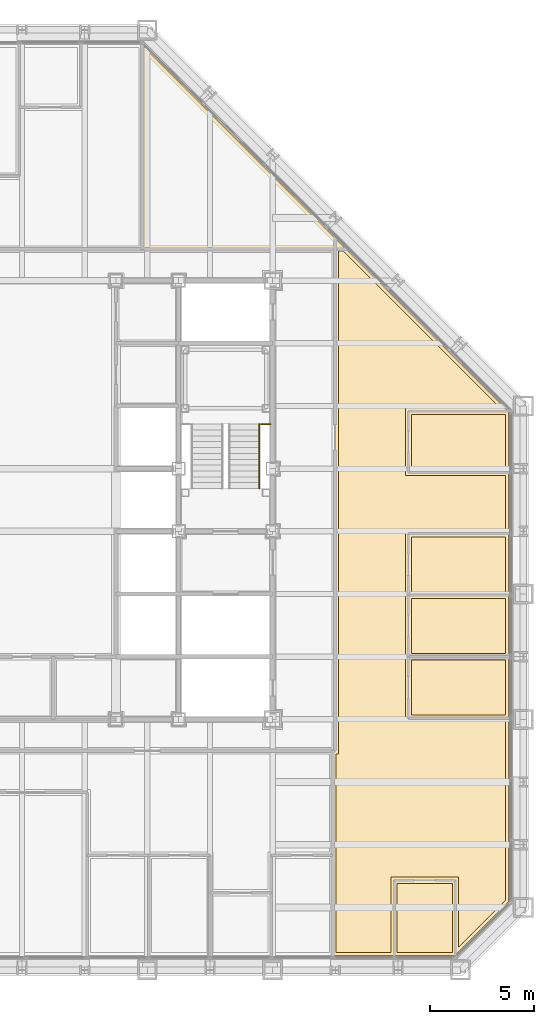
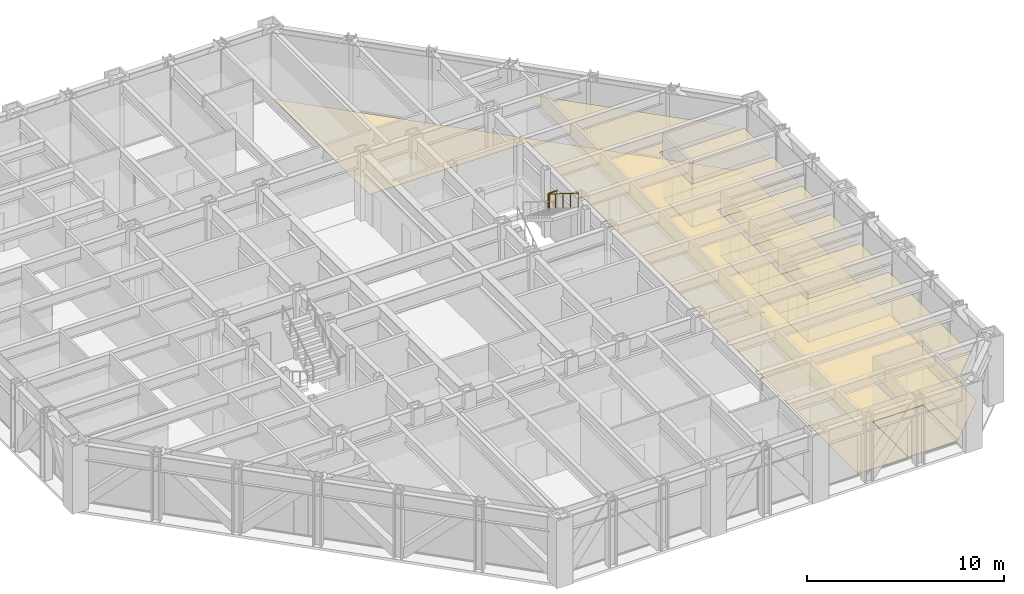
# One storey, part 15 of 16: 12 coverings, 2 railings.
"""IFC4 building model written with IfcOpenShell, lengths in metres."""

from ifc_helpers import new_model, si_unit, direction, frame, origin, origin_2d, place, context, subcontext, project, spatial, polyline, circle, outline, extrude, material, layer, layer_set, type_object, element, save


model = new_model("IFC4")

# Units and contexts
model_context = context("Model", 3, precision=1e-05, world=origin(), true_north=direction((0.0, 1.0)))
body_context = subcontext(model_context, "Body", "Model", "MODEL_VIEW")
ifc_project = project(units=[si_unit("LENGTHUNIT", "METRE"), si_unit("AREAUNIT", "SQUARE_METRE"), si_unit("VOLUMEUNIT", "CUBIC_METRE"), si_unit("PLANEANGLEUNIT", "RADIAN"), si_unit("MASSUNIT", "GRAM", prefix="KILO")], contexts=[model_context])

# Site, building, storey
site_placement = place(None, origin())
site = spatial("IfcSite", under=ifc_project, at=site_placement, CompositionType="ELEMENT")
building_placement = place(site_placement, origin())
building = spatial("IfcBuilding", under=site, at=building_placement, Name="Chuquiago Exchange Tower", CompositionType="ELEMENT")
storey_placement = place(building_placement, frame((0.0, 0.0, 144.60009765625)))
storey = spatial("IfcBuildingStorey", under=building, at=storey_placement, Name="L31", CompositionType="ELEMENT", Elevation=144.60009765625)

# Coverings
ifc_material_1 = material(Name="Mineral fibre tile, 600 x 600, on pale metal grid", Category="mineral fibre")
ifc_layer_1 = layer(ifc_material_1, 0.02001953125)
ifc_layer_set_1 = layer_set([ifc_layer_1], Name="CL1 suspended tile ceiling 20")
covering_type_1 = type_object("IfcCoveringType", Name="CL1 suspended tile ceiling 20", PredefinedType="CEILING", material=ifc_layer_set_1)
covering_1_placement = place(storey_placement, frame((0.0, 0.0, 2.7998046875)))
element("IfcCovering", 1, at=covering_1_placement, inside=storey, type_object=covering_type_1, Name="Ceiling Pantry", PredefinedType="CEILING", context=body_context, shape_type="SweptSolid", body=[
    extrude(outline(polyline([(38.963623046875, 0.85009765625), (38.963623046875, 4.14990234375), (41.6015625, 4.14990234375), (41.6015625, 0.85009765625), (38.963623046875, 0.85009765625)])), origin(), (0.0, 0.0, 1.0), 0.02001953125),
])
covering_2_placement = place(storey_placement, frame((0.0, 0.0, 2.7998046875)))
element("IfcCovering", 2, at=covering_2_placement, inside=storey, type_object=covering_type_1, Name="Ceiling Office", PredefinedType="CEILING", context=body_context, shape_type="SweptSolid", body=[
    extrude(outline(polyline([(39.64990234375, 12.212158203125), (39.64990234375, 14.85009765625), (44.14990234375, 14.85009765625), (44.14990234375, 12.212158203125), (39.64990234375, 12.212158203125)])), origin(), (0.0, 0.0, 1.0), 0.02001953125),
])
covering_3_placement = place(storey_placement, frame((0.0, 0.0, 2.7998046875)))
element("IfcCovering", 3, at=covering_3_placement, inside=storey, type_object=covering_type_1, Name="Ceiling Office", PredefinedType="CEILING", context=body_context, shape_type="SweptSolid", body=[
    extrude(outline(polyline([(39.64990234375, 15.14990234375), (39.64990234375, 17.787841796875), (44.14990234375, 17.787841796875), (44.14990234375, 15.14990234375), (39.64990234375, 15.14990234375)])), origin(), (0.0, 0.0, 1.0), 0.02001953125),
])
covering_4_placement = place(storey_placement, frame((0.0, 0.0, 2.7998046875)))
element("IfcCovering", 4, at=covering_4_placement, inside=storey, type_object=covering_type_1, Name="Ceiling Meeting room", PredefinedType="CEILING", context=body_context, shape_type="SweptSolid", body=[
    extrude(outline(polyline([(39.64990234375, 18.087890625), (39.64990234375, 20.7255859375), (44.14990234375, 20.7255859375), (44.14990234375, 18.087890625), (39.64990234375, 18.087890625)])), origin(), (0.0, 0.0, 1.0), 0.02001953125),
])
covering_5_placement = place(storey_placement, frame((0.0, 0.0, 2.7998046875)))
element("IfcCovering", 5, at=covering_5_placement, inside=storey, type_object=covering_type_1, Name="Ceiling Office", PredefinedType="CEILING", context=body_context, shape_type="SweptSolid", body=[
    extrude(outline(polyline([(44.14990234375, 23.963623046875), (39.64990234375, 23.963623046875), (39.64990234375, 26.6015625), (44.14990234375, 26.6015625), (44.14990234375, 23.963623046875)])), origin(), (0.0, 0.0, 1.0), 0.02001953125),
])
covering_6_placement = place(storey_placement, frame((0.0, 0.0, 2.7998046875)))
element("IfcCovering", 6, at=covering_6_placement, inside=storey, type_object=covering_type_1, Name="Ceiling Open office east suite", PredefinedType="CEILING", context=body_context, shape_type="SweptSolid", body=[
    extrude(outline(polyline([(36.150390625, 10.3505859375), (36.150390625, 34.4150390625), (36.383056640625, 34.4150390625), (43.896484375, 26.901611328125), (39.35009765625, 26.901611328125), (39.35009765625, 23.66357421875), (44.14990234375, 23.66357421875), (44.14990234375, 21.025634765625), (39.35009765625, 21.025634765625), (39.35009765625, 11.912109375), (44.14990234375, 11.912109375), (44.14990234375, 3.35205078125), (41.901611328125, 1.103515625), (41.901611328125, 4.449951171875), (38.66357421875, 4.449951171875), (38.66357421875, 0.85009765625), (36.026123046875, 0.85009765625), (36.026123046875, 10.35009765625), (36.150390625, 10.3505859375)])), origin(), (0.0, 0.0, 1.0), 0.02001953125),
])
ifc_material_2 = material(Name="Carpet tile, 500 x 500, on the floor slab", Category="textile")
ifc_layer_2 = layer(ifc_material_2, 0.010009765625)
ifc_layer_set_2 = layer_set([ifc_layer_2], Name="FL1 carpet tile 10")
covering_type_2 = type_object("IfcCoveringType", Name="FL1 carpet tile 10", PredefinedType="FLOORING", material=ifc_layer_set_2)
covering_7_placement = place(storey_placement, origin())
element("IfcCovering", 7, at=covering_7_placement, inside=storey, type_object=covering_type_2, Name="Floor finish Office", PredefinedType="FLOORING", context=body_context, shape_type="SweptSolid", body=[
    extrude(outline(polyline([(44.300048828125, 12.06201171875), (39.5, 12.06201171875), (39.5, 15.0), (44.300048828125, 15.0), (44.300048828125, 12.06201171875)])), origin(), (0.0, 0.0, 1.0), 0.010009765625),
])
covering_8_placement = place(storey_placement, origin())
element("IfcCovering", 8, at=covering_8_placement, inside=storey, type_object=covering_type_2, Name="Floor finish Office", PredefinedType="FLOORING", context=body_context, shape_type="SweptSolid", body=[
    extrude(outline(polyline([(44.300048828125, 15.0), (39.5, 15.0), (39.5, 17.93798828125), (44.300048828125, 17.93798828125), (44.300048828125, 15.0)])), origin(), (0.0, 0.0, 1.0), 0.010009765625),
])
covering_9_placement = place(storey_placement, origin())
element("IfcCovering", 9, at=covering_9_placement, inside=storey, type_object=covering_type_2, Name="Floor finish Meeting room", PredefinedType="FLOORING", context=body_context, shape_type="SweptSolid", body=[
    extrude(outline(polyline([(44.300048828125, 17.93798828125), (39.5, 17.93798828125), (39.5, 20.875732421875), (44.300048828125, 20.875732421875), (44.300048828125, 17.93798828125)])), origin(), (0.0, 0.0, 1.0), 0.010009765625),
])
covering_10_placement = place(storey_placement, origin())
element("IfcCovering", 10, at=covering_10_placement, inside=storey, type_object=covering_type_2, Name="Floor finish Office", PredefinedType="FLOORING", context=body_context, shape_type="SweptSolid", body=[
    extrude(outline(polyline([(44.300048828125, 26.710205078125), (44.300048828125, 23.813720703125), (39.5, 23.813720703125), (39.5, 26.75146484375), (44.258544921875, 26.75146484375), (44.300048828125, 26.710205078125)])), origin(), (0.0, 0.0, 1.0), 0.010009765625),
])
covering_11_placement = place(storey_placement, origin())
element("IfcCovering", 11, at=covering_11_placement, inside=storey, type_object=covering_type_2, Name="Floor finish Open office east suite", PredefinedType="FLOORING", context=body_context, shape_type="SweptSolid", body=[
    extrude(outline(polyline([(44.258544921875, 26.75146484375), (39.5, 26.75146484375), (39.5, 23.813720703125), (44.300048828125, 23.813720703125), (44.300048828125, 20.875732421875), (39.5, 20.875732421875), (39.5, 12.06201171875), (44.300048828125, 12.06201171875), (44.300048828125, 3.289794921875), (41.75146484375, 0.741455078125), (41.75146484375, 4.300048828125), (38.813720703125, 4.300048828125), (38.813720703125, 0.699951171875), (35.876220703125, 0.699951171875), (35.876220703125, 10.49951171875), (36.00048828125, 10.5), (36.00048828125, 34.5), (26.751953125, 34.50048828125), (26.751953125, 44.258056640625), (44.258544921875, 26.75146484375)])), origin(), (0.0, 0.0, 1.0), 0.010009765625),
])
ifc_material_3 = material(Name="Porcelain floor tile, 600 x 600, on adhesive bed", Category="ceramic")
ifc_layer_3 = layer(ifc_material_3, 0.014892578125)
ifc_layer_set_3 = layer_set([ifc_layer_3], Name="FL2 porcelain tile 15")
covering_type_3 = type_object("IfcCoveringType", Name="FL2 porcelain tile 15", PredefinedType="FLOORING", material=ifc_layer_set_3)
covering_12_placement = place(storey_placement, origin())
element("IfcCovering", 12, at=covering_12_placement, inside=storey, type_object=covering_type_3, Name="Floor finish Pantry", PredefinedType="FLOORING", context=body_context, shape_type="SweptSolid", body=[
    extrude(outline(polyline([(41.710205078125, 0.699951171875), (38.813720703125, 0.699951171875), (38.813720703125, 4.300048828125), (41.75146484375, 4.300048828125), (41.75146484375, 0.741455078125), (41.710205078125, 0.699951171875)])), origin(), (0.0, 0.0, 1.0), 0.014892578125),
])

# Railings
ifc_material_4 = material(Name="Pale metal guard with safety glass infill", Category="glass")
railing_type_1 = type_object("IfcRailingType", Name="GR1 guard 1100", PredefinedType="GUARDRAIL", material=ifc_material_4)
railing_1_placement = place(storey_placement, frame((32.445068359375, 26.1298828125, 2.099853515625)))
element("IfcRailing", 13, at=railing_1_placement, inside=storey, type_object=railing_type_1, Name="Guard ST2 L31 landing 2", PredefinedType="GUARDRAIL", context=body_context, shape_type="SweptSolid", body=[
    extrude(circle(Radius=0.02392578125, at=origin_2d()), frame((0.0, 0.0, 1.076171875), z_axis=(1.0, 0.0, 0.0), x_axis=(0.0, 1.0, 0.0)), (0.0, 0.0, 1.0), 0.454833984375),
    extrude(circle(Radius=0.02099609375, at=origin_2d()), origin(), (0.0, 0.0, 1.0), 1.052001953125),
    extrude(circle(Radius=0.02099609375, at=origin_2d()), frame((0.454833984375, 0.0, 0.0)), (0.0, 0.0, 1.0), 1.052001953125),
])
ifc_material_5 = material(Name="Pale metal handrail", Category="steel")
railing_type_2 = type_object("IfcRailingType", Name="HR1 handrail 900", PredefinedType="HANDRAIL", material=ifc_material_5)
railing_2_placement = place(storey_placement, frame((32.364990234375, 26.1298828125, 2.27490234375)))
element("IfcRailing", 14, at=railing_2_placement, inside=storey, type_object=railing_type_2, Name="Handrail ST2 L31 flight 2", PredefinedType="HANDRAIL", context=body_context, shape_type="SweptSolid", body=[
    extrude(circle(Radius=0.02392578125, at=origin_2d()), frame((0.0, 0.0, 0.8759765625), z_axis=(0.0, -0.847979421464, 0.530029150871), x_axis=(1.0, 0.0, 0.0)), (0.0, 0.0, 1.0), 3.632080078125),
    extrude(circle(Radius=0.02099609375, at=origin_2d()), origin(), (0.0, 0.0, 1.0), 0.851806640625),
    extrude(circle(Radius=0.02099609375, at=origin_2d()), frame((0.0, -0.77001953125, 0.481201171875)), (0.0, 0.0, 1.0), 0.851806640625),
    extrude(circle(Radius=0.02099609375, at=origin_2d()), frame((0.0, -1.5400390625, 0.96240234375)), (0.0, 0.0, 1.0), 0.851806640625),
    extrude(circle(Radius=0.02099609375, at=origin_2d()), frame((0.0, -2.309814453125, 1.44384765625)), (0.0, 0.0, 1.0), 0.851806640625),
    extrude(circle(Radius=0.02099609375, at=origin_2d()), frame((0.0, -3.079833984375, 1.925048828125)), (0.0, 0.0, 1.0), 0.851806640625),
])

save(model, "model.ifc")
